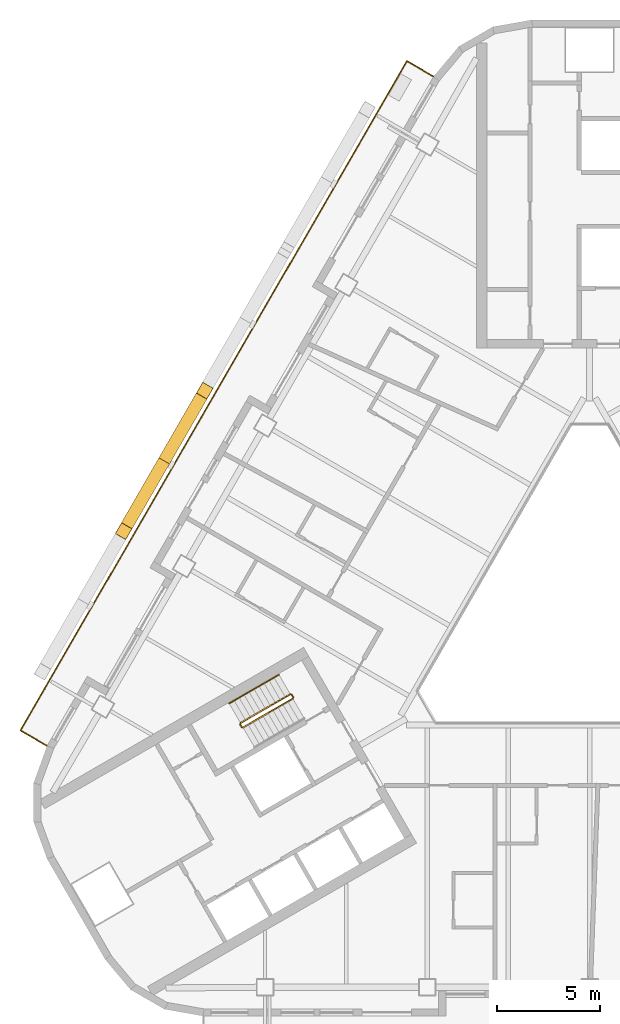
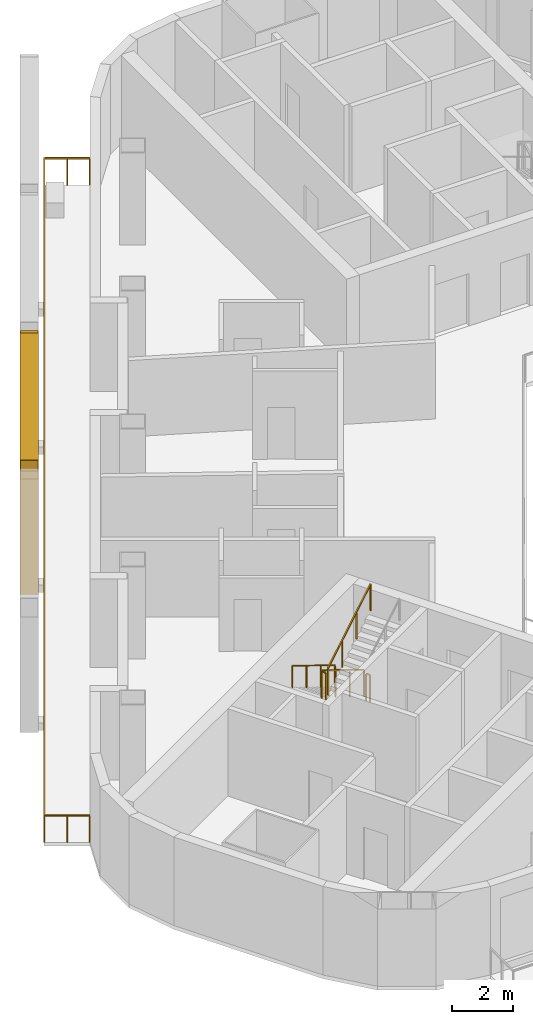
# One storey, part 10 of 14: 6 railings, 2 shading devices.
"""IFC4 building model written with IfcOpenShell, lengths in metres."""

from ifc_helpers import new_model, si_unit, direction, frame, origin, origin_2d, place, context, subcontext, project, spatial, rectangle, hollow_rectangle, circle, extrude, material, material_profile, profile_set, type_object, element, save


model = new_model("IFC4")

# Units and contexts
model_context = context("Model", 3, precision=1e-05, world=origin(), true_north=direction((0.0, 1.0)))
body_context = subcontext(model_context, "Body", "Model", "MODEL_VIEW")
ifc_project = project(units=[si_unit("LENGTHUNIT", "METRE"), si_unit("AREAUNIT", "SQUARE_METRE"), si_unit("VOLUMEUNIT", "CUBIC_METRE"), si_unit("PLANEANGLEUNIT", "RADIAN"), si_unit("MASSUNIT", "GRAM", prefix="KILO")], contexts=[model_context])

# Site, building, storey
site_placement = place(None, origin())
site = spatial("IfcSite", under=ifc_project, at=site_placement, CompositionType="ELEMENT")
building_placement = place(site_placement, origin())
building = spatial("IfcBuilding", under=site, at=building_placement, Name="Apuvela Tower Hotel", CompositionType="ELEMENT")
storey_placement = place(building_placement, frame((0.0, 0.0, 154.0)))
storey = spatial("IfcBuildingStorey", under=building, at=storey_placement, Name="L36", CompositionType="ELEMENT", Elevation=154.0)

# Railings
ifc_material_1 = material(Name="Steel S275 balustrade", Category="steel")
railing_type_1 = type_object("IfcRailingType", Name="COR-GUARD-1100", PredefinedType="GUARDRAIL", material=ifc_material_1)
railing_1_placement = place(storey_placement, frame((-14.569091796875, -3.9658203125, 0.168212890625)))
element("IfcRailing", 1, at=railing_1_placement, inside=storey, type_object=railing_type_1, Name="L36 ST2 stair guard 1", PredefinedType="GUARDRAIL", context=body_context, shape_type="SweptSolid", body=[
    extrude(rectangle(XDim=0.048095703125, YDim=0.048095703125, at=origin_2d()), frame((0.0, 0.0, 1.076171875), z_axis=(-0.742390482028, -0.42860119049, 0.514934356695), x_axis=(0.49998411664, -0.866034573852, 0.0)), (0.0, 0.0, 1.0), 3.26611328125),
    extrude(rectangle(XDim=0.0419921875, YDim=0.0419921875, at=origin_2d()), origin(), (0.0, 0.0, 1.0), 1.052001953125),
    extrude(rectangle(XDim=0.0419921875, YDim=0.0419921875, at=origin_2d()), frame((-0.808349609375, -0.466552734375, 0.560546875)), (0.0, 0.0, 1.0), 1.052001953125),
    extrude(rectangle(XDim=0.0419921875, YDim=0.0419921875, at=origin_2d()), frame((-1.616455078125, -0.933349609375, 1.121337890625)), (0.0, 0.0, 1.0), 1.052001953125),
    extrude(rectangle(XDim=0.0419921875, YDim=0.0419921875, at=origin_2d()), frame((-2.4248046875, -1.39990234375, 1.681884765625)), (0.0, 0.0, 1.0), 1.052001953125),
])
railing_2_placement = place(storey_placement, frame((-17.01220703125, -5.43408203125, 1.85009765625)))
element("IfcRailing", 2, at=railing_2_placement, inside=storey, type_object=railing_type_1, Name="L36 ST2 stair guard 2", PredefinedType="GUARDRAIL", context=body_context, shape_type="SweptSolid", body=[
    extrude(rectangle(XDim=0.048095703125, YDim=0.048095703125, at=origin_2d()), frame((0.0, 0.0, 1.076171875), z_axis=(0.499816412211, -0.866131372301, 0.0), x_axis=(0.866131372301, 0.499816412211, 0.0)), (0.0, 0.0, 1.0), 0.14990234375),
    extrude(rectangle(XDim=0.0419921875, YDim=0.0419921875, at=origin_2d()), origin(), (0.0, 0.0, 1.0), 1.052001953125),
    extrude(rectangle(XDim=0.0419921875, YDim=0.0419921875, at=origin_2d()), frame((0.074951171875, -0.1298828125, 0.0)), (0.0, 0.0, 1.0), 1.052001953125),
])
railing_3_placement = place(storey_placement, frame((-16.868896484375, -5.582275390625, 2.01806640625)))
element("IfcRailing", 3, at=railing_3_placement, inside=storey, type_object=railing_type_1, Name="L36 ST2 stair guard 3", PredefinedType="GUARDRAIL", context=body_context, shape_type="SweptSolid", body=[
    extrude(rectangle(XDim=0.048095703125, YDim=0.048095703125, at=origin_2d()), frame((0.0, 0.0, 1.076171875), z_axis=(0.742390482028, 0.42860119049, 0.514934356695), x_axis=(-0.49998411664, 0.866034573852, 0.0)), (0.0, 0.0, 1.0), 3.26611328125),
    extrude(rectangle(XDim=0.0419921875, YDim=0.0419921875, at=origin_2d()), origin(), (0.0, 0.0, 1.0), 1.052001953125),
    extrude(rectangle(XDim=0.0419921875, YDim=0.0419921875, at=origin_2d()), frame((0.808349609375, 0.466552734375, 0.560546875)), (0.0, 0.0, 1.0), 1.052001953125),
    extrude(rectangle(XDim=0.0419921875, YDim=0.0419921875, at=origin_2d()), frame((1.616455078125, 0.933349609375, 1.121337890625)), (0.0, 0.0, 1.0), 1.052001953125),
    extrude(rectangle(XDim=0.0419921875, YDim=0.0419921875, at=origin_2d()), frame((2.4248046875, 1.39990234375, 1.681884765625)), (0.0, 0.0, 1.0), 1.052001953125),
])
railing_4_placement = place(storey_placement, frame((-14.500732421875, -3.984130859375, 0.0)))
element("IfcRailing", 4, at=railing_4_placement, inside=storey, type_object=railing_type_1, Name="L36 ST2 stair guard 4", PredefinedType="GUARDRAIL", context=body_context, shape_type="SweptSolid", body=[
    extrude(rectangle(XDim=0.048095703125, YDim=0.048095703125, at=origin_2d()), frame((0.0, 0.0, 1.076171875), z_axis=(0.499816412211, -0.866131372301, 0.0), x_axis=(0.866131372301, 0.499816412211, 0.0)), (0.0, 0.0, 1.0), 0.14990234375),
    extrude(rectangle(XDim=0.0419921875, YDim=0.0419921875, at=origin_2d()), origin(), (0.0, 0.0, 1.0), 1.052001953125),
    extrude(rectangle(XDim=0.0419921875, YDim=0.0419921875, at=origin_2d()), frame((0.074951171875, -0.1298828125, 0.0)), (0.0, 0.0, 1.0), 1.052001953125),
])
ifc_material_2 = material(Name="Stainless steel 316 handrail", Category="steel")
railing_type_2 = type_object("IfcRailingType", Name="COR-HANDRAIL-900", PredefinedType="HANDRAIL", material=ifc_material_2)
railing_5_placement = place(storey_placement, frame((-15.118896484375, -3.01318359375, 0.168212890625)))
element("IfcRailing", 5, at=railing_5_placement, inside=storey, type_object=railing_type_2, Name="L36 ST2 stair handrail 1", PredefinedType="HANDRAIL", context=body_context, shape_type="SweptSolid", body=[
    extrude(circle(Radius=0.02392578125, at=origin_2d()), frame((0.0, 0.0, 0.8759765625), z_axis=(-0.742424030051, -0.428577407461, 0.514905783049), x_axis=(0.49994636267, -0.866056369097, 0.0)), (0.0, 0.0, 1.0), 3.266357421875),
    extrude(rectangle(XDim=0.0419921875, YDim=0.0419921875, at=origin_2d()), origin(), (0.0, 0.0, 1.0), 0.851806640625),
    extrude(rectangle(XDim=0.0419921875, YDim=0.0419921875, at=origin_2d()), frame((-0.808349609375, -0.466552734375, 0.560546875)), (0.0, 0.0, 1.0), 0.851806640625),
    extrude(rectangle(XDim=0.0419921875, YDim=0.0419921875, at=origin_2d()), frame((-1.61669921875, -0.933349609375, 1.121337890625)), (0.0, 0.0, 1.0), 0.851806640625),
    extrude(rectangle(XDim=0.0419921875, YDim=0.0419921875, at=origin_2d()), frame((-2.425048828125, -1.39990234375, 1.681884765625)), (0.0, 0.0, 1.0), 0.851806640625),
])

# Shading devices
ifc_material_3 = material(Name="Aluminium 6063-T6, black anodised", Category="aluminium")
ifc_material_profile = material_profile(ifc_material_3, hollow_rectangle(XDim=0.60009765625, YDim=0.699951171875, WallThickness=0.011962890625, at=origin_2d()), Name="AL BOX 700x600x12")
ifc_profile_set = profile_set([ifc_material_profile], Name="Aluminium 6063-T6, black anodised")
shading_device_type = type_object("IfcShadingDeviceType", Name="ENV-FIN-700x600", PredefinedType="USERDEFINED", material=ifc_profile_set)
shading_device_1_placement = place(storey_placement, frame((-20.70703125, 7.394287109375, -0.10009765625), z_axis=(0.235430342887, 0.407790151341, 0.882201647084), x_axis=(-0.866032218625, 0.499988196164, 0.0)))
element("IfcShadingDevice", 6, at=shading_device_1_placement, inside=storey, type_object=shading_device_type, Name="Lattice fin NW397", ObjectType="FIN", PredefinedType="USERDEFINED", context=body_context, shape_type="SweptSolid", body=[
    extrude(hollow_rectangle(XDim=0.60009765625, YDim=0.699951171875, WallThickness=0.011962890625, at=origin_2d()), origin(), (0.0, 0.0, 1.0), 8.38818359375),
])
shading_device_2_placement = place(storey_placement, frame((-20.70703125, 7.394287109375, -0.10009765625), z_axis=(-0.235455039791, -0.407811621453, 0.882185131163), x_axis=(0.866020906874, -0.500007788796, 0.0)))
element("IfcShadingDevice", 7, at=shading_device_2_placement, inside=storey, type_object=shading_device_type, Name="Lattice fin NW398", ObjectType="FIN", PredefinedType="USERDEFINED", context=body_context, shape_type="SweptSolid", body=[
    extrude(hollow_rectangle(XDim=0.60009765625, YDim=0.699951171875, WallThickness=0.011962890625, at=origin_2d()), origin(), (0.0, 0.0, 1.0), 8.388427734375),
])

# Railing
ifc_material_4 = material(Name="Stainless steel 316 rail with laminated glass infill", Category="steel")
railing_type_3 = type_object("IfcRailingType", Name="ENV-GUARD-1100", PredefinedType="GUARDRAIL", material=ifc_material_4)
railing_6_placement = place(storey_placement, frame((-7.59228515625, 26.110107421875, 0.0)))
element("IfcRailing", 8, at=railing_6_placement, inside=storey, type_object=railing_type_3, Name="Balcony guard NW L36", PredefinedType="GUARDRAIL", context=body_context, shape_type="SweptSolid", body=[
    extrude(rectangle(XDim=0.050048828125, YDim=0.050048828125, at=origin_2d()), frame((0.0, 0.0, 1.0751953125), z_axis=(-0.86599040064, 0.500060622324, 0.0), x_axis=(-0.500060622324, -0.86599040064, 0.0)), (0.0, 0.0, 1.0), 1.499755859375),
    extrude(rectangle(XDim=0.050048828125, YDim=0.050048828125, at=origin_2d()), frame((-1.298828125, 0.75, 1.0751953125), z_axis=(-0.500000437506, -0.86602515119, 0.0), x_axis=(0.86602515119, -0.500000437506, 0.0)), (0.0, 0.0, 1.0), 37.6318359375),
    extrude(rectangle(XDim=0.050048828125, YDim=0.050048828125, at=origin_2d()), frame((-20.11474609375, -31.840087890625, 1.0751953125), z_axis=(0.866031096941, -0.499990139034, 0.0), x_axis=(0.499990139034, 0.866031096941, 0.0)), (0.0, 0.0, 1.0), 1.5),
    extrude(rectangle(XDim=0.0400390625, YDim=0.0400390625, at=origin_2d()), origin(), (0.0, 0.0, 1.0), 1.050048828125),
    extrude(rectangle(XDim=0.0400390625, YDim=0.0400390625, at=origin_2d()), frame((-0.6494140625, 0.375, 0.0)), (0.0, 0.0, 1.0), 1.050048828125),
    extrude(rectangle(XDim=0.0400390625, YDim=0.0400390625, at=origin_2d()), frame((-1.298828125, 0.75, 0.0)), (0.0, 0.0, 1.0), 1.050048828125),
    extrude(rectangle(XDim=0.0400390625, YDim=0.0400390625, at=origin_2d()), frame((-1.88671875, -0.2685546875, 0.0)), (0.0, 0.0, 1.0), 1.050048828125),
    extrude(rectangle(XDim=0.0400390625, YDim=0.0400390625, at=origin_2d()), frame((-2.474853515625, -1.286865234375, 0.0)), (0.0, 0.0, 1.0), 1.050048828125),
    extrude(rectangle(XDim=0.0400390625, YDim=0.0400390625, at=origin_2d()), frame((-3.062744140625, -2.305419921875, 0.0)), (0.0, 0.0, 1.0), 1.050048828125),
    extrude(rectangle(XDim=0.0400390625, YDim=0.0400390625, at=origin_2d()), frame((-3.65087890625, -3.32373046875, 0.0)), (0.0, 0.0, 1.0), 1.050048828125),
    extrude(rectangle(XDim=0.0400390625, YDim=0.0400390625, at=origin_2d()), frame((-4.23876953125, -4.34228515625, 0.0)), (0.0, 0.0, 1.0), 1.050048828125),
    extrude(rectangle(XDim=0.0400390625, YDim=0.0400390625, at=origin_2d()), frame((-4.826904296875, -5.360595703125, 0.0)), (0.0, 0.0, 1.0), 1.050048828125),
    extrude(rectangle(XDim=0.0400390625, YDim=0.0400390625, at=origin_2d()), frame((-5.414794921875, -6.379150390625, 0.0)), (0.0, 0.0, 1.0), 1.050048828125),
    extrude(rectangle(XDim=0.0400390625, YDim=0.0400390625, at=origin_2d()), frame((-6.0029296875, -7.3974609375, 0.0)), (0.0, 0.0, 1.0), 1.050048828125),
    extrude(rectangle(XDim=0.0400390625, YDim=0.0400390625, at=origin_2d()), frame((-6.5908203125, -8.416015625, 0.0)), (0.0, 0.0, 1.0), 1.050048828125),
    extrude(rectangle(XDim=0.0400390625, YDim=0.0400390625, at=origin_2d()), frame((-7.1787109375, -9.434326171875, 0.0)), (0.0, 0.0, 1.0), 1.050048828125),
    extrude(rectangle(XDim=0.0400390625, YDim=0.0400390625, at=origin_2d()), frame((-7.766845703125, -10.452880859375, 0.0)), (0.0, 0.0, 1.0), 1.050048828125),
    extrude(rectangle(XDim=0.0400390625, YDim=0.0400390625, at=origin_2d()), frame((-8.354736328125, -11.47119140625, 0.0)), (0.0, 0.0, 1.0), 1.050048828125),
    extrude(rectangle(XDim=0.0400390625, YDim=0.0400390625, at=origin_2d()), frame((-8.94287109375, -12.48974609375, 0.0)), (0.0, 0.0, 1.0), 1.050048828125),
    extrude(rectangle(XDim=0.0400390625, YDim=0.0400390625, at=origin_2d()), frame((-9.53076171875, -13.508056640625, 0.0)), (0.0, 0.0, 1.0), 1.050048828125),
    extrude(rectangle(XDim=0.0400390625, YDim=0.0400390625, at=origin_2d()), frame((-10.118896484375, -14.526611328125, 0.0)), (0.0, 0.0, 1.0), 1.050048828125),
    extrude(rectangle(XDim=0.0400390625, YDim=0.0400390625, at=origin_2d()), frame((-10.706787109375, -15.544921875, 0.0)), (0.0, 0.0, 1.0), 1.050048828125),
    extrude(rectangle(XDim=0.0400390625, YDim=0.0400390625, at=origin_2d()), frame((-11.294677734375, -16.5634765625, 0.0)), (0.0, 0.0, 1.0), 1.050048828125),
    extrude(rectangle(XDim=0.0400390625, YDim=0.0400390625, at=origin_2d()), frame((-11.8828125, -17.58203125, 0.0)), (0.0, 0.0, 1.0), 1.050048828125),
    extrude(rectangle(XDim=0.0400390625, YDim=0.0400390625, at=origin_2d()), frame((-12.470703125, -18.600341796875, 0.0)), (0.0, 0.0, 1.0), 1.050048828125),
    extrude(rectangle(XDim=0.0400390625, YDim=0.0400390625, at=origin_2d()), frame((-13.058837890625, -19.618896484375, 0.0)), (0.0, 0.0, 1.0), 1.050048828125),
    extrude(rectangle(XDim=0.0400390625, YDim=0.0400390625, at=origin_2d()), frame((-13.646728515625, -20.63720703125, 0.0)), (0.0, 0.0, 1.0), 1.050048828125),
    extrude(rectangle(XDim=0.0400390625, YDim=0.0400390625, at=origin_2d()), frame((-14.23486328125, -21.65576171875, 0.0)), (0.0, 0.0, 1.0), 1.050048828125),
    extrude(rectangle(XDim=0.0400390625, YDim=0.0400390625, at=origin_2d()), frame((-14.82275390625, -22.674072265625, 0.0)), (0.0, 0.0, 1.0), 1.050048828125),
    extrude(rectangle(XDim=0.0400390625, YDim=0.0400390625, at=origin_2d()), frame((-15.41064453125, -23.692626953125, 0.0)), (0.0, 0.0, 1.0), 1.050048828125),
    extrude(rectangle(XDim=0.0400390625, YDim=0.0400390625, at=origin_2d()), frame((-15.998779296875, -24.7109375, 0.0)), (0.0, 0.0, 1.0), 1.050048828125),
    extrude(rectangle(XDim=0.0400390625, YDim=0.0400390625, at=origin_2d()), frame((-16.586669921875, -25.7294921875, 0.0)), (0.0, 0.0, 1.0), 1.050048828125),
    extrude(rectangle(XDim=0.0400390625, YDim=0.0400390625, at=origin_2d()), frame((-17.1748046875, -26.747802734375, 0.0)), (0.0, 0.0, 1.0), 1.050048828125),
    extrude(rectangle(XDim=0.0400390625, YDim=0.0400390625, at=origin_2d()), frame((-17.7626953125, -27.766357421875, 0.0)), (0.0, 0.0, 1.0), 1.050048828125),
    extrude(rectangle(XDim=0.0400390625, YDim=0.0400390625, at=origin_2d()), frame((-18.350830078125, -28.78466796875, 0.0)), (0.0, 0.0, 1.0), 1.050048828125),
    extrude(rectangle(XDim=0.0400390625, YDim=0.0400390625, at=origin_2d()), frame((-18.938720703125, -29.80322265625, 0.0)), (0.0, 0.0, 1.0), 1.050048828125),
    extrude(rectangle(XDim=0.0400390625, YDim=0.0400390625, at=origin_2d()), frame((-19.52685546875, -30.821533203125, 0.0)), (0.0, 0.0, 1.0), 1.050048828125),
    extrude(rectangle(XDim=0.0400390625, YDim=0.0400390625, at=origin_2d()), frame((-20.11474609375, -31.840087890625, 0.0)), (0.0, 0.0, 1.0), 1.050048828125),
    extrude(rectangle(XDim=0.0400390625, YDim=0.0400390625, at=origin_2d()), frame((-19.46533203125, -32.215087890625, 0.0)), (0.0, 0.0, 1.0), 1.050048828125),
    extrude(rectangle(XDim=0.0400390625, YDim=0.0400390625, at=origin_2d()), frame((-18.815673828125, -32.590087890625, 0.0)), (0.0, 0.0, 1.0), 1.050048828125),
])

save(model, "model.ifc")
